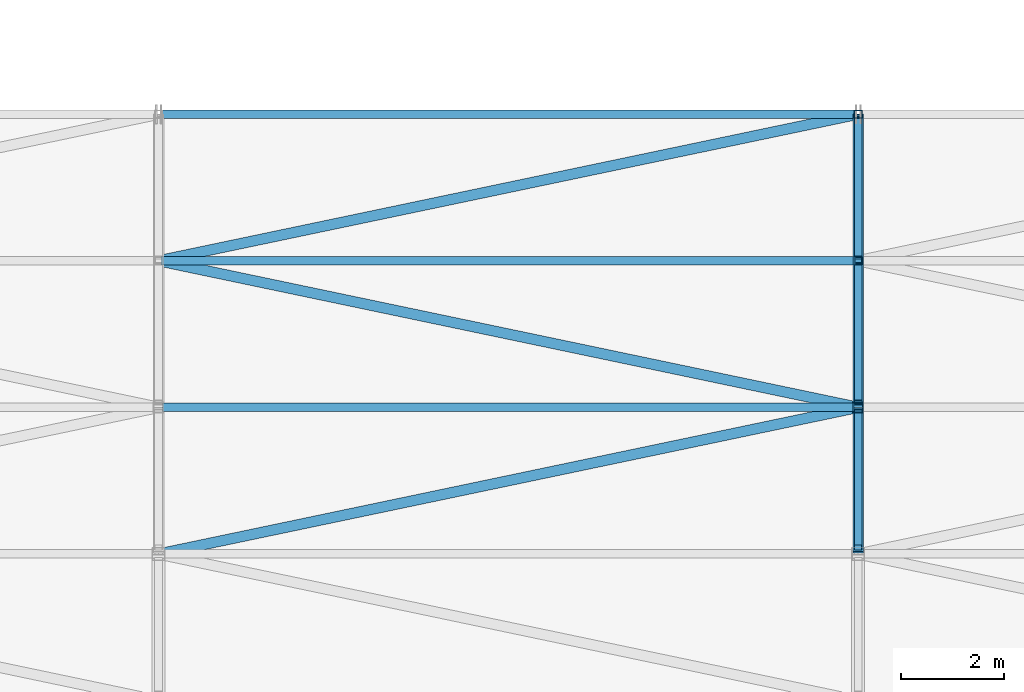
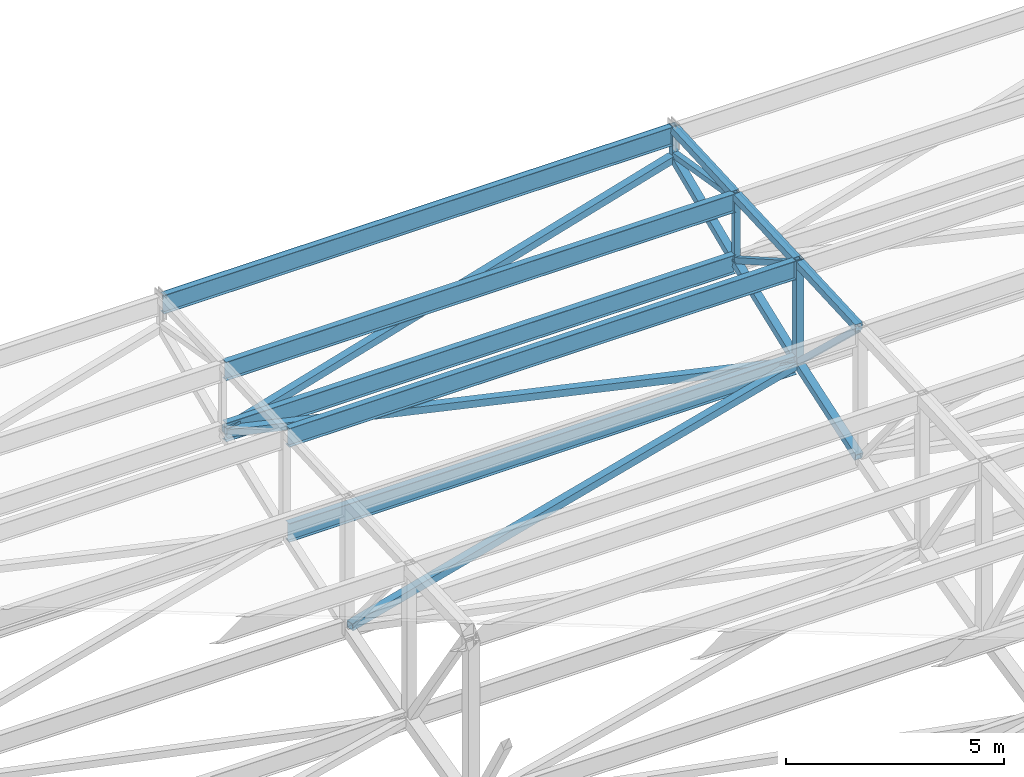
# One storey, part 27 of 278: 11 members, 9 beams.
"""IFC4 building model written with IfcOpenShell, lengths in metres."""

import ifcopenshell
import ifcopenshell.guid

model = None  # the IFC model being written
_history = None  # IfcOwnerHistory: only IFC2X3 demands one
_inside = {}  # id of a spatial element -> (the spatial element, [elements in it])
_under = {}  # id of a project, library or spatial element -> (it, [spatial elements below it])
_declared = {}  # id of a project -> (the project, [libraries it declares])
_typed = {}  # id of a type object -> (the type object, [elements of that type])
_made_of = {}  # id of a material, layer set ... -> (it, [elements and type objects made of it])


def new_model(schema):
    """Start an empty IFC model of exactly this schema.

    Asked for "IFC4X3", IfcOpenShell would pick the latest addendum, in which some entities
    have other attributes; the version numbers below select the first issue.
    IFC2X3 requires an IfcOwnerHistory on every rooted entity: one is made here for all.
    """
    global model, _history
    if schema == "IFC4X3":
        model = ifcopenshell.file(schema_version=(4, 3, 0, 0))
    else:
        model = ifcopenshell.file(schema=schema)
    _inside.clear()
    _under.clear()
    _declared.clear()
    _typed.clear()
    _made_of.clear()
    _history = None
    if model.schema == "IFC2X3":
        org = make("IfcOrganization", Name="unknown")
        user = make(
            "IfcPersonAndOrganization",
            ThePerson=make("IfcPerson", FamilyName="unknown"),
            TheOrganization=org,
        )
        app = make(
            "IfcApplication",
            ApplicationDeveloper=org,
            Version="unknown",
            ApplicationFullName="unknown",
            ApplicationIdentifier="unknown",
        )
        _history = make(
            "IfcOwnerHistory",
            OwningUser=user,
            OwningApplication=app,
            ChangeAction="ADDED",
            CreationDate=0,
        )
    return model


def make(cls, **values):
    """One entity of the class cls with the attributes given. An attribute that is None is left unset."""
    return model.create_entity(
        cls, **{name: value for name, value in values.items() if value is not None}
    )


def rooted(cls, **values):
    """An entity with a GlobalId (a new one), such as an element, a storey or a relation."""
    return make(cls, GlobalId=ifcopenshell.guid.new(), OwnerHistory=_history, **values)


def si_unit(unit_type, name, prefix=None):
    """IfcSIUnit, for example si_unit("LENGTHUNIT", "METRE", prefix="MILLI")."""
    return make("IfcSIUnit", UnitType=unit_type, Prefix=prefix, Name=name)


def assignment(units):
    """IfcUnitAssignment: the units of a project."""
    return None if units is None else make("IfcUnitAssignment", Units=units)


def point(xyz):
    """IfcCartesianPoint."""
    return None if xyz is None else make("IfcCartesianPoint", Coordinates=xyz)


def direction(xyz):
    """IfcDirection."""
    return None if xyz is None else make("IfcDirection", DirectionRatios=xyz)


def frame(location, z_axis=None, x_axis=None):
    """IfcAxis2Placement3D, a coordinate frame: its origin and axes. An axis left out is left unset."""
    return make(
        "IfcAxis2Placement3D",
        Location=point(location),
        Axis=direction(z_axis),
        RefDirection=direction(x_axis),
    )


def frame_2d(location, x_axis=None):
    """IfcAxis2Placement2D, a coordinate frame in the plane: its origin and x axis."""
    return make(
        "IfcAxis2Placement2D", Location=point(location), RefDirection=direction(x_axis)
    )


def origin():
    """The frame at (0, 0, 0) with its axes left unset."""
    return frame((0.0, 0.0, 0.0))


def origin_2d():
    """The frame at (0, 0) in the plane with its x axis left unset."""
    return frame_2d((0.0, 0.0))


def place(relative_to, where):
    """IfcLocalPlacement: puts the frame where relative to a parent placement (None: the world)."""
    return make(
        "IfcLocalPlacement", PlacementRelTo=relative_to, RelativePlacement=where
    )


def context(
    kind, dimensions, precision=None, world=None, true_north=None, identifier=None
):
    """IfcGeometricRepresentationContext, for example the 3D "Model" context."""
    return make(
        "IfcGeometricRepresentationContext",
        ContextIdentifier=identifier,
        ContextType=kind,
        CoordinateSpaceDimension=dimensions,
        Precision=precision,
        WorldCoordinateSystem=world,
        TrueNorth=true_north,
    )


def subcontext(parent, identifier, kind, view, scale=None):
    """IfcGeometricRepresentationSubContext, for example "Body" below "Model"."""
    return make(
        "IfcGeometricRepresentationSubContext",
        ContextIdentifier=identifier,
        ContextType=kind,
        ParentContext=parent,
        TargetScale=scale,
        TargetView=view,
    )


def project(units=None, contexts=None):
    """IfcProject with its units and contexts."""
    return rooted(
        "IfcProject",
        Name="project",
        RepresentationContexts=contexts,
        UnitsInContext=assignment(units),
    )


def spatial(cls, under=None, at=None, **own):
    """A site, building, storey or space (cls), placed at a placement, below another one or the project."""
    s = rooted(cls, ObjectPlacement=at, **own)
    if under is not None:
        _under.setdefault(under.id(), (under, []))[1].append(s)
    return s


def profile(cls, at=None, kind="AREA", **sizes):
    """A parametric profile (cls). Its sizes go by their IFC names, for example OverallWidth=200.0."""
    return make(cls, ProfileType=kind, Position=at, **sizes)


def hollow_rectangle(**sizes):
    """IfcRectangleHollowProfileDef."""
    return profile("IfcRectangleHollowProfileDef", **sizes)


def i_section(**sizes):
    """IfcIShapeProfileDef."""
    return profile("IfcIShapeProfileDef", **sizes)


def extrude(swept, where, along, depth):
    """IfcExtrudedAreaSolid: the profile swept, set in the frame where, extruded along a direction by depth."""
    return make(
        "IfcExtrudedAreaSolid",
        SweptArea=swept,
        Position=where,
        ExtrudedDirection=direction(along),
        Depth=depth,
    )


def shape(context_of_items, identifier, shape_type, items):
    """IfcShapeRepresentation: the items that make up one representation, for example the "Body"."""
    return make(
        "IfcShapeRepresentation",
        ContextOfItems=context_of_items,
        RepresentationIdentifier=identifier,
        RepresentationType=shape_type,
        Items=items,
    )


def material(Name=None, Category=None):
    """IfcMaterial."""
    return make("IfcMaterial", Name=Name, Category=Category)


def material_profile(
    of_material, cross_section, Name=None, Category=None, Priority=None
):
    """IfcMaterialProfile: a cross section and its material."""
    return make(
        "IfcMaterialProfile",
        Name=Name,
        Material=of_material,
        Profile=cross_section,
        Priority=Priority,
        Category=Category,
    )


def profile_set(profiles, Name=None, composite=None):
    """IfcMaterialProfileSet."""
    return make(
        "IfcMaterialProfileSet",
        Name=Name,
        MaterialProfiles=profiles,
        CompositeProfile=composite,
    )


def made_of(thing, what):
    """Note that an element or type object is made of a material, layer set ...; save() writes the relation."""
    if what is not None:
        _made_of.setdefault(what.id(), (what, []))[1].append(thing)
    return thing


def type_object(cls, material=None, **own):
    """A type object (cls), such as IfcWallType, which elements share."""
    return made_of(rooted(cls, **own), material)


def element(
    cls,
    number,
    at=None,
    inside=None,
    cuts=None,
    type_object=None,
    material=None,
    context=None,
    identifier="Body",
    shape_type=None,
    held_by="IfcProductDefinitionShape",
    body=None,
    shapes=None,
    **own,
):
    """One element of the class cls, such as IfcWall. Its Tag is "e" and its number.

    at: its placement. inside: the storey or other place that contains it. cuts: it is an
    opening in that element (IfcRelVoidsElement). A single representation is given by context,
    identifier, shape_type and body (its items); several are given by shapes. held_by: the class
    of the entity that holds the representations. save() writes the other relations.
    """
    e = rooted(cls, Tag="e%d" % number, ObjectPlacement=at, **own)
    if body is not None:
        shapes = [shape(context, identifier, shape_type, body)]
    if shapes is not None:
        e.Representation = make(held_by, Representations=shapes)
    if inside is not None:
        _inside.setdefault(inside.id(), (inside, []))[1].append(e)
    if cuts is not None:
        rooted(
            "IfcRelVoidsElement", RelatingBuildingElement=cuts, RelatedOpeningElement=e
        )
    if type_object is not None:
        _typed.setdefault(type_object.id(), (type_object, []))[1].append(e)
    return made_of(e, material)


def aggregate(whole, parts):
    """IfcRelAggregates: a whole, such as a stair, and the parts it consists of."""
    return rooted("IfcRelAggregates", RelatingObject=whole, RelatedObjects=parts)


def save(model, path):
    """Write the relations noted so far, then the file.

    IfcRelAggregates (storeys below a building ...), IfcRelContainedInSpatialStructure (elements
    in a storey), IfcRelDefinesByType, IfcRelAssociatesMaterial and IfcRelDeclares: one each for
    every whole, place, type object, material and project.
    """
    for whole, parts in _under.values():
        aggregate(whole, parts)
    for where, things in _inside.values():
        rooted(
            "IfcRelContainedInSpatialStructure",
            RelatedElements=things,
            RelatingStructure=where,
        )
    for kind, things in _typed.values():
        rooted("IfcRelDefinesByType", RelatedObjects=things, RelatingType=kind)
    for what, things in _made_of.values():
        rooted("IfcRelAssociatesMaterial", RelatedObjects=things, RelatingMaterial=what)
    for by, libraries in _declared.values():
        rooted("IfcRelDeclares", RelatingContext=by, RelatedDefinitions=libraries)
    model.write(path)


model = new_model("IFC4")

# Units and contexts
model_context = context("Model", 3, precision=1e-05, world=origin(), true_north=direction((0.0, 1.0)))
body_context = subcontext(model_context, "Body", "Model", "MODEL_VIEW")
ifc_project = project(units=[si_unit("LENGTHUNIT", "METRE"), si_unit("AREAUNIT", "SQUARE_METRE"), si_unit("VOLUMEUNIT", "CUBIC_METRE"), si_unit("PLANEANGLEUNIT", "RADIAN"), si_unit("MASSUNIT", "GRAM", prefix="KILO")], contexts=[model_context])

# Site, building, storey
site_placement = place(None, origin())
site = spatial("IfcSite", under=ifc_project, at=site_placement, CompositionType="ELEMENT")
building_placement = place(site_placement, origin())
building = spatial("IfcBuilding", under=site, at=building_placement, Name="Ogive Plaza Stadium", CompositionType="ELEMENT")
storey_placement = place(building_placement, frame((0.0, 0.0, 29.0)))
storey = spatial("IfcBuildingStorey", under=building, at=storey_placement, Name="Roof", CompositionType="ELEMENT", Elevation=29.0)

# Members
ifc_material_1 = material(Name="Steel ASTM A500 Grade C", Category="steel")
ifc_material_profile_1 = material_profile(ifc_material_1, hollow_rectangle(XDim=0.203125, YDim=0.203125, WallThickness=0.0087890625, at=origin_2d()), Name="HSS8X8X3/8")
ifc_profile_set_1 = profile_set([ifc_material_profile_1], Name="Steel ASTM A500 Grade C")
member_type_1 = type_object("IfcMemberType", Name="Roof plan brace HSS8X8X3/8", PredefinedType="BRACE", material=ifc_profile_set_1)
member_1_placement = place(storey_placement, frame((6.732421875, -64.01416015625, 6.5205078125), z_axis=(-0.974984276103, -0.20432383709, -0.087506748018), x_axis=(0.205110656584, -0.978738789747, 0.0)))
element("IfcMember", 1, at=member_1_placement, inside=storey, type_object=member_type_1, Name="ROOF BRACE B14 1", PredefinedType="BRACE", context=body_context, shape_type="SweptSolid", body=[
    extrude(hollow_rectangle(XDim=0.203125, YDim=0.203125, WallThickness=0.0087890625, at=origin_2d()), origin(), (0.0, 0.0, 1.0), 13.810302734375),
])
member_2_placement = place(storey_placement, frame((-6.732421875, -66.8642578125, 5.30029296875), z_axis=(0.9757347182, -0.204459743759, -0.078345216074), x_axis=(0.205090131406, 0.978743090908, 0.0)))
element("IfcMember", 2, at=member_2_placement, inside=storey, type_object=member_type_1, Name="ROOF BRACE B14 2", PredefinedType="BRACE", context=body_context, shape_type="SweptSolid", body=[
    extrude(hollow_rectangle(XDim=0.203125, YDim=0.203125, WallThickness=0.0087890625, at=origin_2d()), origin(), (0.0, 0.0, 1.0), 13.773681640625),
])
member_3_placement = place(storey_placement, frame((6.70703125, -69.719482421875, 4.207275390625), z_axis=(-0.976516142556, -0.204637573992, -0.067377196717), x_axis=(0.205103656726, -0.978740256655, 0.0)))
element("IfcMember", 3, at=member_3_placement, inside=storey, type_object=member_type_1, Name="ROOF BRACE B14 3", PredefinedType="BRACE", context=body_context, shape_type="SweptSolid", body=[
    extrude(hollow_rectangle(XDim=0.203125, YDim=0.203125, WallThickness=0.0087890625, at=origin_2d()), origin(), (0.0, 0.0, 1.0), 13.736572265625),
])
ifc_material_2 = material(Name="Steel ASTM A992 Grade 50", Category="steel")
ifc_material_profile_2 = material_profile(ifc_material_2, i_section(OverallWidth=0.1650390625, OverallDepth=0.524658203125, WebThickness=0.0087890625, FlangeThickness=0.011474609375, at=origin_2d()), Name="W21X44")
ifc_profile_set_2 = profile_set([ifc_material_profile_2], Name="Steel ASTM A992 Grade 50")
member_type_2 = type_object("IfcMemberType", Name="Roof plan strut W21X44", PredefinedType="STRUT", material=ifc_profile_set_2)
member_4_placement = place(storey_placement, frame((6.75390625, -66.85009765625, 5.305908203125), z_axis=(-1.0, 0.0, 0.0), x_axis=(0.0, -1.0, 0.0)))
element("IfcMember", 4, at=member_4_placement, inside=storey, type_object=member_type_2, Name="ROOF STRUT B14 1", PredefinedType="STRUT", context=body_context, shape_type="SweptSolid", body=[
    extrude(i_section(OverallWidth=0.1650390625, OverallDepth=0.524658203125, WebThickness=0.0087890625, FlangeThickness=0.011474609375, at=origin_2d()), origin(), (0.0, 0.0, 1.0), 13.5078125),
])
member_5_placement = place(storey_placement, frame((6.728515625, -69.699951171875, 4.213623046875), z_axis=(-1.0, 0.0, 0.0), x_axis=(0.0, -1.0, 0.0)))
element("IfcMember", 5, at=member_5_placement, inside=storey, type_object=member_type_2, Name="ROOF STRUT B14 2", PredefinedType="STRUT", context=body_context, shape_type="SweptSolid", body=[
    extrude(i_section(OverallWidth=0.1650390625, OverallDepth=0.524658203125, WebThickness=0.0087890625, FlangeThickness=0.011474609375, at=origin_2d()), origin(), (0.0, 0.0, 1.0), 13.45703125),
])
ifc_material_3 = material(Name="Steel ASTM A992 Grade 50", Category="steel")
ifc_material_profile_3 = material_profile(ifc_material_3, i_section(OverallWidth=0.1650390625, OverallDepth=0.524658203125, WebThickness=0.0087890625, FlangeThickness=0.011474609375, at=origin_2d()), Name="W21X44")
ifc_profile_set_3 = profile_set([ifc_material_profile_3], Name="Steel ASTM A992 Grade 50")
member_type_3 = type_object("IfcMemberType", Name="Roof purlin W21X44", PredefinedType="PURLIN", material=ifc_profile_set_3)
member_6_placement = place(storey_placement, frame((6.75390625, -66.85009765625, 7.02001953125), z_axis=(-1.0, 0.0, 0.0), x_axis=(0.0, -1.0, 0.0)))
element("IfcMember", 6, at=member_6_placement, inside=storey, type_object=member_type_3, Name="ROOF PURLIN B14 1", PredefinedType="PURLIN", context=body_context, shape_type="SweptSolid", body=[
    extrude(i_section(OverallWidth=0.1650390625, OverallDepth=0.524658203125, WebThickness=0.0087890625, FlangeThickness=0.011474609375, at=origin_2d()), origin(), (0.0, 0.0, 1.0), 13.5078125),
])
member_7_placement = place(storey_placement, frame((6.728515625, -69.699951171875, 6.877685546875), z_axis=(-1.0, 0.0, 0.0), x_axis=(0.0, -1.0, 0.0)))
element("IfcMember", 7, at=member_7_placement, inside=storey, type_object=member_type_3, Name="ROOF PURLIN B14 2", PredefinedType="PURLIN", context=body_context, shape_type="SweptSolid", body=[
    extrude(i_section(OverallWidth=0.1650390625, OverallDepth=0.524658203125, WebThickness=0.0087890625, FlangeThickness=0.011474609375, at=origin_2d()), origin(), (0.0, 0.0, 1.0), 13.45703125),
])
ifc_material_4 = material(Name="Steel ASTM A992 Grade 50", Category="steel")
ifc_material_profile_4 = material_profile(ifc_material_4, i_section(OverallWidth=0.1650390625, OverallDepth=0.524658203125, WebThickness=0.0087890625, FlangeThickness=0.011474609375, at=origin_2d()), Name="W21X44")
ifc_profile_set_4 = profile_set([ifc_material_profile_4], Name="Steel ASTM A992 Grade 50")
member_type_4 = type_object("IfcMemberType", Name="Roof tip ring beam W21X44", PredefinedType="MEMBER", material=ifc_profile_set_4)
member_8_placement = place(storey_placement, frame((6.75390625, -64.0, 7.16259765625), z_axis=(-1.0, 0.0, 0.0), x_axis=(0.0, -1.0, 0.0)))
element("IfcMember", 8, at=member_8_placement, inside=storey, type_object=member_type_4, Name="RING BEAM B14", PredefinedType="MEMBER", context=body_context, shape_type="SweptSolid", body=[
    extrude(i_section(OverallWidth=0.1650390625, OverallDepth=0.524658203125, WebThickness=0.0087890625, FlangeThickness=0.011474609375, at=origin_2d()), origin(), (0.0, 0.0, 1.0), 13.5078125),
])

# Beams
ifc_material_5 = material(Name="Steel ASTM A500 Grade C", Category="steel")
ifc_material_profile_5 = material_profile(ifc_material_5, hollow_rectangle(XDim=0.203125, YDim=0.203125, WallThickness=0.01171875, at=origin_2d()), Name="HSS8X8X1/2")
ifc_profile_set_5 = profile_set([ifc_material_profile_5], Name="Steel ASTM A500 Grade C")
beam_type_1 = type_object("IfcBeamType", Name="Roof truss bottom chord HSS8X8X1/2", PredefinedType="BEAM", material=ifc_profile_set_5)
beam_1_placement = place(storey_placement, frame((6.800048828125, -64.0400390625, 6.518310546875), z_axis=(0.0, -0.919215459426, -0.393754922702), x_axis=(1.0, 0.0, 0.0)))
element("IfcBeam", 9, at=beam_1_placement, inside=storey, type_object=beam_type_1, Name="ROOF TRUSS T14 BOTTOM CHORD 1", PredefinedType="BEAM", context=body_context, shape_type="SweptSolid", body=[
    extrude(hollow_rectangle(XDim=0.203125, YDim=0.203125, WallThickness=0.01171875, at=origin_2d()), origin(), (0.0, 0.0, 1.0), 3.04736328125),
])
beam_2_placement = place(storey_placement, frame((6.800048828125, -66.886474609375, 5.299072265625), z_axis=(0.0, -0.933780874892, -0.357845326484), x_axis=(1.0, 0.0, 0.0)))
element("IfcBeam", 10, at=beam_2_placement, inside=storey, type_object=beam_type_1, Name="ROOF TRUSS T14 BOTTOM CHORD 2", PredefinedType="BEAM", context=body_context, shape_type="SweptSolid", body=[
    extrude(hollow_rectangle(XDim=0.203125, YDim=0.203125, WallThickness=0.01171875, at=origin_2d()), origin(), (0.0, 0.0, 1.0), 2.97314453125),
])
beam_3_placement = place(storey_placement, frame((6.800048828125, -69.74072265625, 4.20556640625), z_axis=(0.0, -0.947299736415, -0.320348574817), x_axis=(1.0, 0.0, 0.0)))
element("IfcBeam", 11, at=beam_3_placement, inside=storey, type_object=beam_type_1, Name="ROOF TRUSS T14 BOTTOM CHORD 3", PredefinedType="BEAM", context=body_context, shape_type="SweptSolid", body=[
    extrude(hollow_rectangle(XDim=0.203125, YDim=0.203125, WallThickness=0.01171875, at=origin_2d()), origin(), (0.0, 0.0, 1.0), 2.912841796875),
])

# Members
ifc_material_6 = material(Name="Steel ASTM A500 Grade C", Category="steel")
ifc_material_profile_6 = material_profile(ifc_material_6, hollow_rectangle(XDim=0.15234375, YDim=0.15234375, WallThickness=0.005859375, at=origin_2d()), Name="HSS6X6X1/4")
ifc_profile_set_6 = profile_set([ifc_material_profile_6], Name="Steel ASTM A500 Grade C")
member_type_5 = type_object("IfcMemberType", Name="Roof truss diagonal HSS6X6X1/4", PredefinedType="BRACE", material=ifc_profile_set_6)
member_9_placement = place(storey_placement, frame((6.800048828125, -64.076171875, 6.628173828125), z_axis=(0.0, -0.986299671123, 0.164963507307), x_axis=(1.0, 0.0, 0.0)))
element("IfcMember", 12, at=member_9_placement, inside=storey, type_object=member_type_5, Name="ROOF TRUSS T14 DIAGONAL 1", PredefinedType="BRACE", context=body_context, shape_type="SweptSolid", body=[
    extrude(hollow_rectangle(XDim=0.15234375, YDim=0.15234375, WallThickness=0.005859375, at=origin_2d()), origin(), (0.0, 0.0, 1.0), 2.73486328125),
])
member_10_placement = place(storey_placement, frame((6.800048828125, -66.92626953125, 5.407470703125), z_axis=(0.0, -0.8679111184, 0.496719529069), x_axis=(1.0, 0.0, 0.0)))
element("IfcMember", 13, at=member_10_placement, inside=storey, type_object=member_type_5, Name="ROOF TRUSS T14 DIAGONAL 2", PredefinedType="BRACE", context=body_context, shape_type="SweptSolid", body=[
    extrude(hollow_rectangle(XDim=0.15234375, YDim=0.15234375, WallThickness=0.005859375, at=origin_2d()), origin(), (0.0, 0.0, 1.0), 3.078857421875),
])
ifc_material_7 = material(Name="Steel ASTM A500 Grade C", Category="steel")
ifc_material_profile_7 = material_profile(ifc_material_7, hollow_rectangle(XDim=0.15234375, YDim=0.15234375, WallThickness=0.0087890625, at=origin_2d()), Name="HSS6X6X3/8")
ifc_profile_set_7 = profile_set([ifc_material_profile_7], Name="Steel ASTM A500 Grade C")
member_type_6 = type_object("IfcMemberType", Name="Roof truss diagonal HSS6X6X3/8", PredefinedType="BRACE", material=ifc_profile_set_7)
member_11_placement = place(storey_placement, frame((6.800048828125, -69.801513671875, 4.315185546875), z_axis=(0.0, -0.726588919749, 0.687072442832), x_axis=(1.0, 0.0, 0.0)))
element("IfcMember", 14, at=member_11_placement, inside=storey, type_object=member_type_6, Name="ROOF TRUSS T14 DIAGONAL 3", PredefinedType="BRACE", context=body_context, shape_type="SweptSolid", body=[
    extrude(hollow_rectangle(XDim=0.15234375, YDim=0.15234375, WallThickness=0.0087890625, at=origin_2d()), origin(), (0.0, 0.0, 1.0), 3.608154296875),
])

# Beams
ifc_material_8 = material(Name="Steel ASTM A500 Grade C", Category="steel")
ifc_material_profile_8 = material_profile(ifc_material_8, hollow_rectangle(XDim=0.15234375, YDim=0.15234375, WallThickness=0.0087890625, at=origin_2d()), Name="HSS6X6X3/8")
ifc_profile_set_8 = profile_set([ifc_material_profile_8], Name="Steel ASTM A500 Grade C")
beam_type_2 = type_object("IfcBeamType", Name="Roof truss post HSS6X6X3/8", PredefinedType="BEAM", material=ifc_profile_set_8)
beam_4_placement = place(storey_placement, frame((6.800048828125, -64.0, 6.425048828125), z_axis=(0.0, 0.0, 1.0), x_axis=(1.0, 0.0, 0.0)))
element("IfcBeam", 15, at=beam_4_placement, inside=storey, type_object=beam_type_2, Name="ROOF TRUSS T14 POST 1", PredefinedType="BEAM", context=body_context, shape_type="SweptSolid", body=[
    extrude(hollow_rectangle(XDim=0.15234375, YDim=0.15234375, WallThickness=0.0087890625, at=origin_2d()), origin(), (0.0, 0.0, 1.0), 1.0),
])
beam_5_placement = place(storey_placement, frame((6.800048828125, -66.85009765625, 5.204345703125), z_axis=(0.0, 0.0, 1.0), x_axis=(1.0, 0.0, 0.0)))
element("IfcBeam", 16, at=beam_5_placement, inside=storey, type_object=beam_type_2, Name="ROOF TRUSS T14 POST 2", PredefinedType="BEAM", context=body_context, shape_type="SweptSolid", body=[
    extrude(hollow_rectangle(XDim=0.15234375, YDim=0.15234375, WallThickness=0.0087890625, at=origin_2d()), origin(), (0.0, 0.0, 1.0), 2.078125),
])
ifc_material_9 = material(Name="Steel ASTM A500 Grade C", Category="steel")
ifc_material_profile_9 = material_profile(ifc_material_9, hollow_rectangle(XDim=0.203125, YDim=0.203125, WallThickness=0.0087890625, at=origin_2d()), Name="HSS8X8X3/8")
ifc_profile_set_9 = profile_set([ifc_material_profile_9], Name="Steel ASTM A500 Grade C")
beam_type_3 = type_object("IfcBeamType", Name="Roof truss post HSS8X8X3/8", PredefinedType="BEAM", material=ifc_profile_set_9)
beam_6_placement = place(storey_placement, frame((6.800048828125, -69.699951171875, 4.112060546875), z_axis=(0.0, 0.0, 1.0), x_axis=(1.0, 0.0, 0.0)))
element("IfcBeam", 17, at=beam_6_placement, inside=storey, type_object=beam_type_3, Name="ROOF TRUSS T14 POST 3", PredefinedType="BEAM", context=body_context, shape_type="SweptSolid", body=[
    extrude(hollow_rectangle(XDim=0.203125, YDim=0.203125, WallThickness=0.0087890625, at=origin_2d()), origin(), (0.0, 0.0, 1.0), 3.02783203125),
])
ifc_material_10 = material(Name="Steel ASTM A500 Grade C", Category="steel")
ifc_material_profile_10 = material_profile(ifc_material_10, hollow_rectangle(XDim=0.203125, YDim=0.203125, WallThickness=0.0087890625, at=origin_2d()), Name="HSS8X8X3/8")
ifc_profile_set_10 = profile_set([ifc_material_profile_10], Name="Steel ASTM A500 Grade C")
beam_type_4 = type_object("IfcBeamType", Name="Roof truss top chord HSS8X8X3/8", PredefinedType="BEAM", material=ifc_profile_set_10)
beam_7_placement = place(storey_placement, frame((6.800048828125, -64.041259765625, 7.3212890625), z_axis=(0.0, -0.998751459876, -0.049955193873), x_axis=(1.0, 0.0, 0.0)))
element("IfcBeam", 18, at=beam_7_placement, inside=storey, type_object=beam_type_4, Name="ROOF TRUSS T14 TOP CHORD 1", PredefinedType="BEAM", context=body_context, shape_type="SweptSolid", body=[
    extrude(hollow_rectangle(XDim=0.203125, YDim=0.203125, WallThickness=0.0087890625, at=origin_2d()), origin(), (0.0, 0.0, 1.0), 2.77099609375),
])
beam_8_placement = place(storey_placement, frame((6.800048828125, -66.89111328125, 7.1787109375), z_axis=(0.0, -0.998752338878, -0.049937616944), x_axis=(1.0, 0.0, 0.0)))
element("IfcBeam", 19, at=beam_8_placement, inside=storey, type_object=beam_type_4, Name="ROOF TRUSS T14 TOP CHORD 2", PredefinedType="BEAM", context=body_context, shape_type="SweptSolid", body=[
    extrude(hollow_rectangle(XDim=0.203125, YDim=0.203125, WallThickness=0.0087890625, at=origin_2d()), origin(), (0.0, 0.0, 1.0), 2.76220703125),
])
beam_9_placement = place(storey_placement, frame((6.800048828125, -69.75, 7.035888671875), z_axis=(0.0, -0.998748798523, -0.05000837379), x_axis=(1.0, 0.0, 0.0)))
element("IfcBeam", 20, at=beam_9_placement, inside=storey, type_object=beam_type_4, Name="ROOF TRUSS T14 TOP CHORD 3", PredefinedType="BEAM", context=body_context, shape_type="SweptSolid", body=[
    extrude(hollow_rectangle(XDim=0.203125, YDim=0.203125, WallThickness=0.0087890625, at=origin_2d()), origin(), (0.0, 0.0, 1.0), 2.75341796875),
])

save(model, "model.ifc")
